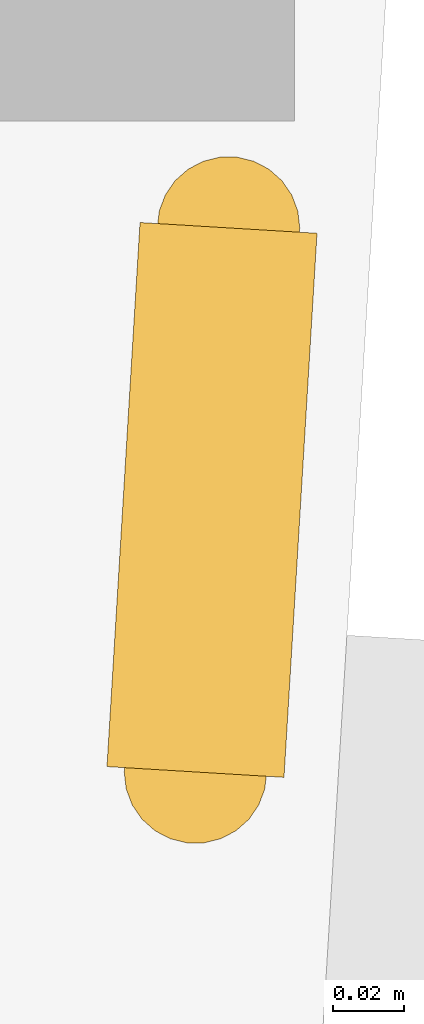
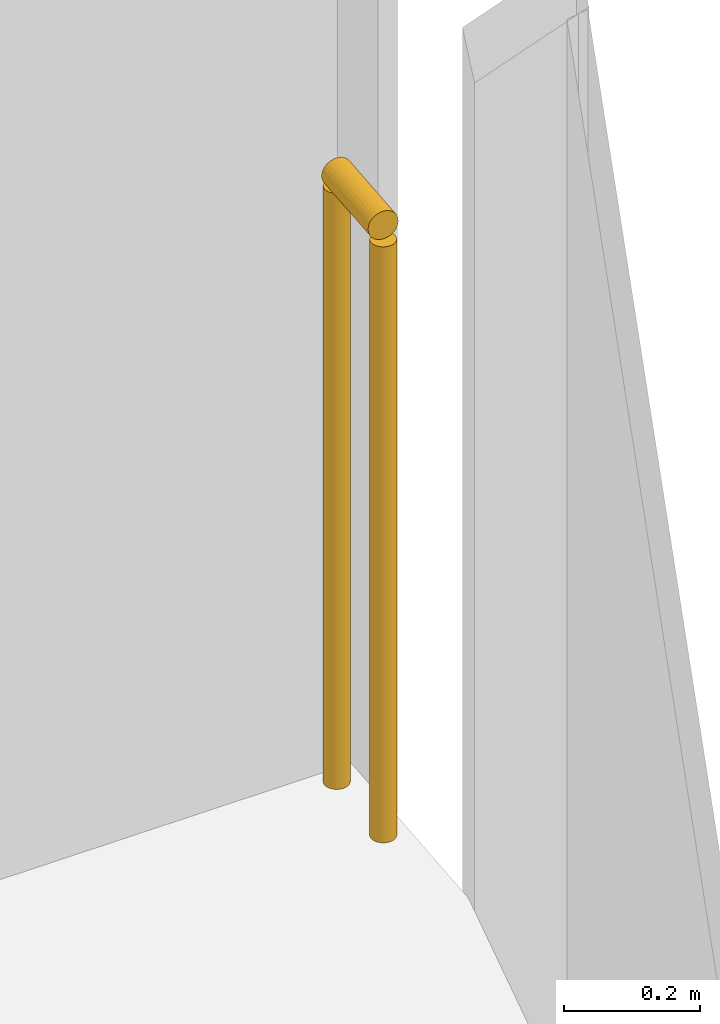
# One storey, part 31 of 32: 1 railing.
"""IFC4 building model written with IfcOpenShell, lengths in metres."""

from ifc_helpers import new_model, si_unit, direction, frame, origin, origin_2d, place, context, subcontext, project, spatial, circle, extrude, material, type_object, element, save


model = new_model("IFC4")

# Units and contexts
model_context = context("Model", 3, precision=1e-05, world=origin(), true_north=direction((0.0, 1.0)))
body_context = subcontext(model_context, "Body", "Model", "MODEL_VIEW")
ifc_project = project(units=[si_unit("LENGTHUNIT", "METRE"), si_unit("AREAUNIT", "SQUARE_METRE"), si_unit("VOLUMEUNIT", "CUBIC_METRE"), si_unit("PLANEANGLEUNIT", "RADIAN"), si_unit("MASSUNIT", "GRAM", prefix="KILO")], contexts=[model_context])

# Site, building, storey
site_placement = place(None, origin())
site = spatial("IfcSite", under=ifc_project, at=site_placement, CompositionType="ELEMENT")
building_placement = place(site_placement, origin())
building = spatial("IfcBuilding", under=site, at=building_placement, Name="Orlundy Tower", CompositionType="ELEMENT")
storey_placement = place(building_placement, frame((0.0, 0.0, 152.60009765625)))
storey = spatial("IfcBuildingStorey", under=building, at=storey_placement, Name="L39", CompositionType="ELEMENT", Elevation=152.60009765625)

# Railing
ifc_material = material(Name="Stainless steel bronze finish", Category="steel")
railing_type = type_object("IfcRailingType", Name="TG1 terrace guard", PredefinedType="GUARDRAIL", material=ifc_material)
railing_placement = place(storey_placement, frame((59.7275390625, -13.819091796875, 0.0)))
element("IfcRailing", 1, at=railing_placement, inside=storey, type_object=railing_type, Name="Guard TG-L39-E01", PredefinedType="GUARDRAIL", context=body_context, shape_type="SweptSolid", body=[
    extrude(circle(Radius=0.02490234375, at=origin_2d()), frame((0.0, 0.0, 1.09521484375), z_axis=(-0.060591343374, -0.998162656639, 0.0), x_axis=(0.998162656639, -0.060591343374, 0.0)), (0.0, 0.0, 1.0), 0.153076171875),
    extrude(circle(Radius=0.02001953125, at=origin_2d()), origin(), (0.0, 0.0, 1.0), 1.070068359375),
    extrude(circle(Radius=0.02001953125, at=origin_2d()), frame((-0.00927734375, -0.15283203125, 0.0)), (0.0, 0.0, 1.0), 1.070068359375),
])

save(model, "model.ifc")
